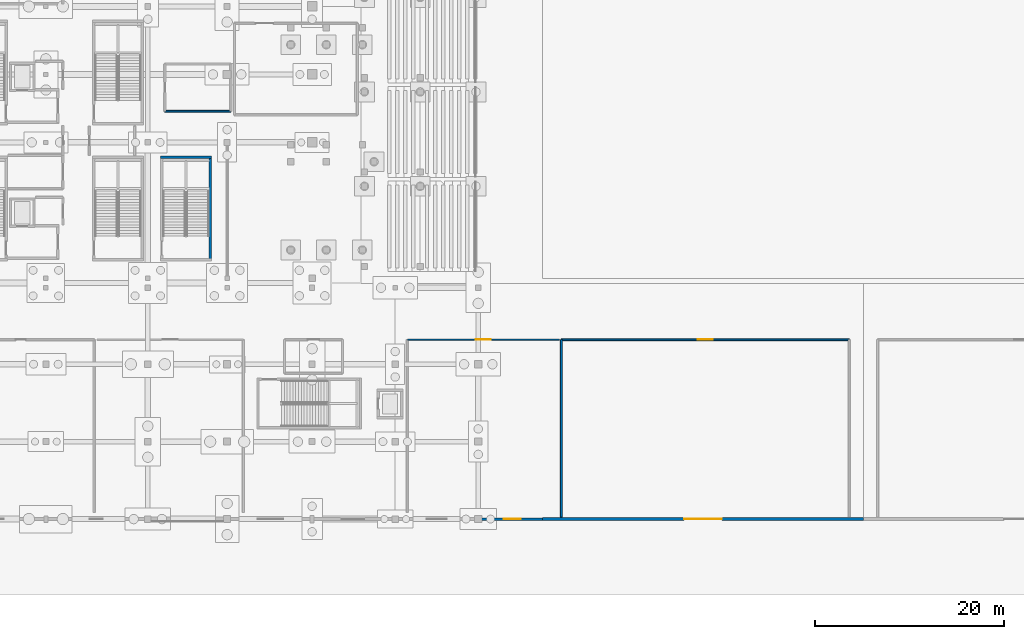
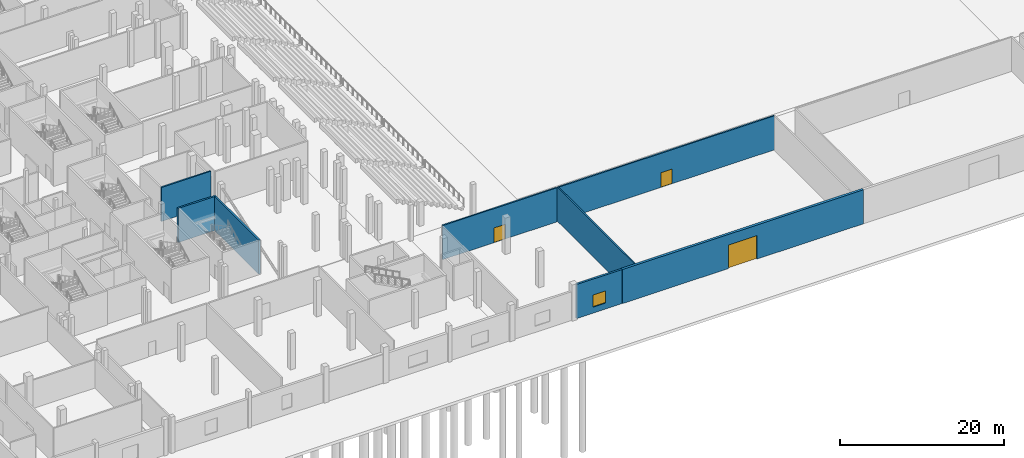
# One storey, part 32 of 89: 8 walls, 3 doors, 1 window, 4 openings.
"""IFC4 building model written with IfcOpenShell, lengths in metres."""

from ifc_helpers import new_model, si_unit, direction, frame, frame_2d, origin, place, context, subcontext, project, spatial, rectangle, extrude, material, layer, layer_set, type_object, element, fill, save


model = new_model("IFC4")

# Units and contexts
model_context = context("Model", 3, precision=1e-05, world=origin(), true_north=direction((0.0, 1.0)))
body_context = subcontext(model_context, "Body", "Model", "MODEL_VIEW")
ifc_project = project(units=[si_unit("LENGTHUNIT", "METRE"), si_unit("AREAUNIT", "SQUARE_METRE"), si_unit("VOLUMEUNIT", "CUBIC_METRE"), si_unit("PLANEANGLEUNIT", "RADIAN"), si_unit("MASSUNIT", "GRAM", prefix="KILO")], contexts=[model_context])

# Site, building, storey
site_placement = place(None, origin())
site = spatial("IfcSite", under=ifc_project, at=site_placement, CompositionType="ELEMENT")
building_placement = place(site_placement, origin())
building = spatial("IfcBuilding", under=site, at=building_placement, Name="Koshinbarg Plaza Stadium", CompositionType="ELEMENT")
storey_placement = place(building_placement, origin())
storey = spatial("IfcBuildingStorey", under=building, at=storey_placement, Name="L00", CompositionType="ELEMENT", Elevation=0.0)

# Walls
ifc_material_1 = material(Name="Concrete C40/50", Category="concrete")
ifc_layer_1 = layer(ifc_material_1, 0.25)
ifc_layer_set_1 = layer_set([ifc_layer_1], Name="Concrete C40/50")
wall_type_1 = type_object("IfcWallType", Name="WL-CORE-250", PredefinedType="SHEAR", material=ifc_layer_set_1)
wall_1_placement = place(storey_placement, frame((52.919921875, 38.324951171875, 0.0), z_axis=(0.0, 0.0, 1.0), x_axis=(-1.0, 0.0, 0.0)))
element("IfcWall", 1, at=wall_1_placement, inside=storey, type_object=wall_type_1, Name="L00 vomitory stair shear wall VL01-far IWL-L00-0547", PredefinedType="SHEAR", context=body_context, shape_type="SweptSolid", body=[
    extrude(rectangle(XDim=5.369873046875, YDim=0.25, at=frame_2d((2.68505859375, 0.0))), origin(), (0.0, 0.0, 1.0), 5.080078125),
])
wall_2_placement = place(storey_placement, frame((52.794921875, 27.47509765625, 0.0), z_axis=(0.0, 0.0, 1.0), x_axis=(0.0, 1.0, 0.0)))
element("IfcWall", 2, at=wall_2_placement, inside=storey, type_object=wall_type_1, Name="L00 vomitory stair shear wall VL01-right IWL-L00-0549", PredefinedType="SHEAR", context=body_context, shape_type="SweptSolid", body=[
    extrude(rectangle(XDim=10.849853515625, YDim=0.25, at=frame_2d((5.4248046875, 0.0))), origin(), (0.0, 0.0, 1.0), 5.080078125),
])

# Wall, opening, window
ifc_material_2 = material(Name="Terracotta-ochre mineral plaster insulated wall", Category="masonry")
ifc_layer_2 = layer(ifc_material_2, 0.280029296875)
ifc_layer_set_2 = layer_set([ifc_layer_2], Name="Terracotta-ochre mineral plaster insulated wall")
wall_type_2 = type_object("IfcWallType", Name="WL-EXT-280", PredefinedType="SOLIDWALL", material=ifc_layer_set_2)
wall_3_placement = place(storey_placement, frame((88.0, 0.0, 0.0), z_axis=(0.0, 0.0, 1.0), x_axis=(-1.0, 0.0, 0.0)))
wall_3 = element("IfcWall", 3, at=wall_3_placement, inside=storey, type_object=wall_type_2, Name="L00 exterior envelope wall EWL-L00-0064", PredefinedType="SOLIDWALL", context=body_context, shape_type="SweptSolid", body=[
    extrude(rectangle(XDim=6.429931640625, YDim=0.280029296875, at=frame_2d((3.21484375, 0.0))), origin(), (0.0, 0.0, 1.0), 5.080078125),
])
opening_1_placement = place(wall_3_placement, frame((2.31494140625, 0.0, 0.89990234375)))
opening_1 = element("IfcOpeningElement", 4, at=opening_1_placement, cuts=wall_3, Name="Opening WN09", PredefinedType="OPENING", context=body_context, shape_type="SweptSolid", body=[
    extrude(rectangle(XDim=1.800048828125, YDim=1.800048828125, at=frame_2d((0.89990234375, 0.89990234375))), frame((0.0, 0.14990234375, 0.0), z_axis=(0.0, -1.0, 0.0), x_axis=(1.0, 0.0, 0.0)), (0.0, 0.0, 1.0), 0.300048828125),
])
ifc_material_3 = material(Name="Solar-control double glazing in thermally broken aluminium frame", Category="aluminium")
window_type = type_object("IfcWindowType", Name="WN-FAC-09", PartitioningType="DOUBLE_PANEL_VERTICAL", PredefinedType="WINDOW", material=ifc_material_3)
window_placement = place(opening_1_placement, origin())
window = element("IfcWindow", 5, at=window_placement, inside=storey, type_object=window_type, Name="L00 facade window 0008", OverallHeight=1.800048828125, OverallWidth=1.800048828125, PartitioningType="SINGLE_PANEL", PredefinedType="WINDOW", context=body_context, shape_type="SweptSolid", body=[
    extrude(rectangle(XDim=1.800048828125, YDim=1.800048828125, at=frame_2d((0.89990234375, 0.89990234375))), frame((0.0, 0.030029296875, 0.0), z_axis=(0.0, -1.0, 0.0), x_axis=(1.0, 0.0, 0.0)), (0.0, 0.0, 1.0), 0.06005859375),
])
fill(opening_1, window)

# Wall, opening, door
ifc_material_4 = material(Name="Acoustic insulated masonry stadium wall", Category="masonry")
ifc_layer_3 = layer(ifc_material_4, 0.35009765625)
ifc_layer_set_3 = layer_set([ifc_layer_3], Name="Acoustic insulated masonry stadium wall")
wall_type_3 = type_object("IfcWallType", Name="WL-EXT-350", PredefinedType="SOLIDWALL", material=ifc_layer_set_3)
wall_4_placement = place(storey_placement, frame((122.0, 0.0, 0.0), z_axis=(0.0, 0.0, 1.0), x_axis=(-1.0, 0.0, 0.0)))
wall_4 = element("IfcWall", 6, at=wall_4_placement, inside=storey, type_object=wall_type_3, Name="L00 exterior envelope wall EWL-L00-0063", PredefinedType="SOLIDWALL", context=body_context, shape_type="SweptSolid", body=[
    extrude(rectangle(XDim=34.0, YDim=0.35009765625, at=frame_2d((17.0, 0.0))), origin(), (0.0, 0.0, 1.0), 5.080078125),
])
opening_2_placement = place(wall_4_placement, frame((15.0, 0.0, 0.0)))
opening_2 = element("IfcOpeningElement", 7, at=opening_2_placement, cuts=wall_4, Name="Opening D-0055", PredefinedType="OPENING", context=body_context, shape_type="SweptSolid", body=[
    extrude(rectangle(XDim=4.0, YDim=3.5, at=frame_2d((2.0, 1.75))), frame((0.0, 0.18505859375, 0.0), z_axis=(0.0, -1.0, 0.0), x_axis=(1.0, 0.0, 0.0)), (0.0, 0.0, 1.0), 0.3701171875),
])
ifc_material_5 = material(Name="Galvanized steel broadcast loading shutter", Category="steel")
door_type_1 = type_object("IfcDoorType", Name="DR-SHUT-4000", OperationType="NOTDEFINED", PredefinedType="DOOR", material=ifc_material_5)
door_1_placement = place(opening_2_placement, origin())
door_1 = element("IfcDoor", 8, at=door_1_placement, inside=storey, type_object=door_type_1, Name="Stadium service loading shutter VG02", OperationType="ROLLINGUP", OverallHeight=3.5, OverallWidth=4.0, PredefinedType="DOOR", context=body_context, shape_type="SweptSolid", body=[
    extrude(rectangle(XDim=4.0, YDim=3.5, at=frame_2d((2.0, 1.75))), frame((0.0, 0.02490234375, 0.0), z_axis=(0.0, -1.0, 0.0), x_axis=(1.0, 0.0, 0.0)), (0.0, 0.0, 1.0), 0.050048828125),
])
fill(opening_2, door_1)

# Wall
ifc_material_6 = material(Name="Autoclaved aerated blockwork fire partition", Category="masonry")
ifc_layer_4 = layer(ifc_material_6, 0.199951171875)
ifc_layer_set_4 = layer_set([ifc_layer_4], Name="Autoclaved aerated blockwork fire partition")
wall_type_4 = type_object("IfcWallType", Name="WL-PART-200", PredefinedType="PARTITIONING", material=ifc_layer_set_4)
wall_5_placement = place(storey_placement, frame((48.0, 43.199951171875, 0.0), z_axis=(0.0, 0.0, 1.0), x_axis=(1.0, 0.0, 0.0)))
element("IfcWall", 9, at=wall_5_placement, inside=storey, type_object=wall_type_4, Name="L00 interior partition L00-65-south IWL-L00-1049", PredefinedType="PARTITIONING", context=body_context, shape_type="SweptSolid", body=[
    extrude(rectangle(XDim=7.0, YDim=0.199951171875, at=frame_2d((3.5, 0.0))), origin(), (0.0, 0.0, 1.0), 5.080078125),
])

# Wall, opening, door
wall_6_placement = place(storey_placement, frame((120.5, 19.0, 0.0), z_axis=(0.0, 0.0, 1.0), x_axis=(-1.0, 0.0, 0.0)))
wall_6 = element("IfcWall", 10, at=wall_6_placement, inside=storey, type_object=wall_type_4, Name="L00 interior partition L00-67-north IWL-L00-1057", PredefinedType="PARTITIONING", context=body_context, shape_type="SweptSolid", body=[
    extrude(rectangle(XDim=30.5, YDim=0.199951171875, at=frame_2d((15.25, 0.0))), origin(), (0.0, 0.0, 1.0), 5.080078125),
])
opening_3_placement = place(wall_6_placement, frame((14.449951171875, 0.0, 0.0)))
opening_3 = element("IfcOpeningElement", 11, at=opening_3_placement, cuts=wall_6, Name="Opening D-0336", PredefinedType="OPENING", context=body_context, shape_type="SweptSolid", body=[
    extrude(rectangle(XDim=1.60009765625, YDim=2.199951171875, at=frame_2d((0.800048828125, 1.10009765625))), frame((0.0, 0.10986328125, 0.0), z_axis=(0.0, -1.0, 0.0), x_axis=(1.0, 0.0, 0.0)), (0.0, 0.0, 1.0), 0.219970703125),
])
ifc_material_7 = material(Name="Double acoustic steel plant fire door", Category="steel")
door_type_2 = type_object("IfcDoorType", Name="DR-PLANT-1600", OperationType="NOTDEFINED", PredefinedType="DOOR", material=ifc_material_7)
door_2_placement = place(opening_3_placement, origin())
door_2 = element("IfcDoor", 12, at=door_2_placement, inside=storey, type_object=door_type_2, Name="L00 Broadcast Compound Loading Bay door D-0336", OperationType="DOUBLE_DOOR_SINGLE_SWING", OverallHeight=2.199951171875, OverallWidth=1.60009765625, PredefinedType="DOOR", context=body_context, shape_type="SweptSolid", body=[
    extrude(rectangle(XDim=1.60009765625, YDim=2.199951171875, at=frame_2d((0.800048828125, 1.10009765625))), frame((0.0, 0.02490234375, 0.0), z_axis=(0.0, -1.0, 0.0), x_axis=(1.0, 0.0, 0.0)), (0.0, 0.0, 1.0), 0.050048828125),
])
fill(opening_3, door_2)

# Wall
wall_7_placement = place(storey_placement, frame((90.0, 19.0, 0.0), z_axis=(0.0, 0.0, 1.0), x_axis=(0.0, -1.0, 0.0)))
element("IfcWall", 13, at=wall_7_placement, inside=storey, type_object=wall_type_4, Name="L00 interior partition L00-67-west IWL-L00-1058", PredefinedType="PARTITIONING", context=body_context, shape_type="SweptSolid", body=[
    extrude(rectangle(XDim=18.800048828125, YDim=0.199951171875, at=frame_2d((9.39990234375, 0.0))), origin(), (0.0, 0.0, 1.0), 5.080078125),
])

# Wall, opening, door
wall_8_placement = place(storey_placement, frame((89.820068359375, 19.0, 0.0), z_axis=(0.0, 0.0, 1.0), x_axis=(-1.0, 0.0, 0.0)))
wall_8 = element("IfcWall", 14, at=wall_8_placement, inside=storey, type_object=wall_type_4, Name="L00 interior partition L00-139-north IWL-L00-1249", PredefinedType="PARTITIONING", context=body_context, shape_type="SweptSolid", body=[
    extrude(rectangle(XDim=16.14013671875, YDim=0.199951171875, at=frame_2d((8.070068359375, 0.0))), origin(), (0.0, 0.0, 1.0), 5.080078125),
])
opening_4_placement = place(wall_8_placement, frame((7.27001953125, 0.0, 0.0)))
opening_4 = element("IfcOpeningElement", 15, at=opening_4_placement, cuts=wall_8, Name="Opening D-0408", PredefinedType="OPENING", context=body_context, shape_type="SweptSolid", body=[
    extrude(rectangle(XDim=1.60009765625, YDim=2.199951171875, at=frame_2d((0.800048828125, 1.10009765625))), frame((0.0, 0.10986328125, 0.0), z_axis=(0.0, -1.0, 0.0), x_axis=(1.0, 0.0, 0.0)), (0.0, 0.0, 1.0), 0.219970703125),
])
door_3_placement = place(opening_4_placement, origin())
door_3 = element("IfcDoor", 16, at=door_3_placement, inside=storey, type_object=door_type_2, Name="L00 Standby Power Hall door D-0408", OperationType="DOUBLE_DOOR_SINGLE_SWING", OverallHeight=2.199951171875, OverallWidth=1.60009765625, PredefinedType="DOOR", context=body_context, shape_type="SweptSolid", body=[
    extrude(rectangle(XDim=1.60009765625, YDim=2.199951171875, at=frame_2d((0.800048828125, 1.10009765625))), frame((0.0, 0.02490234375, 0.0), z_axis=(0.0, -1.0, 0.0), x_axis=(1.0, 0.0, 0.0)), (0.0, 0.0, 1.0), 0.050048828125),
])
fill(opening_4, door_3)

save(model, "model.ifc")
